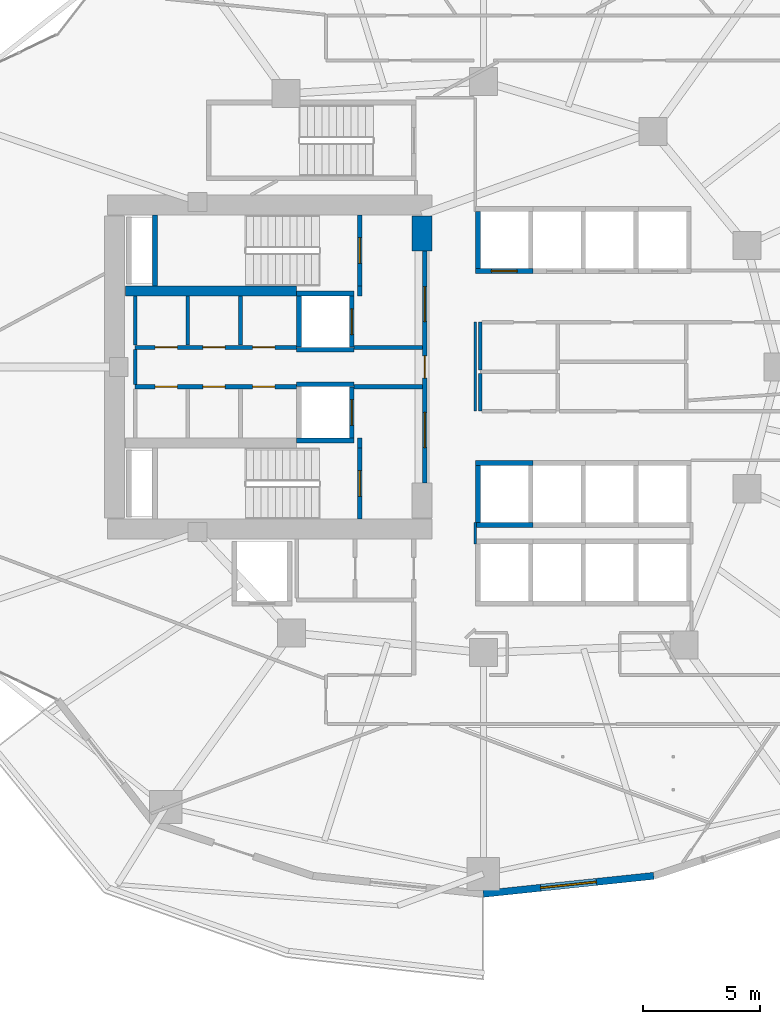
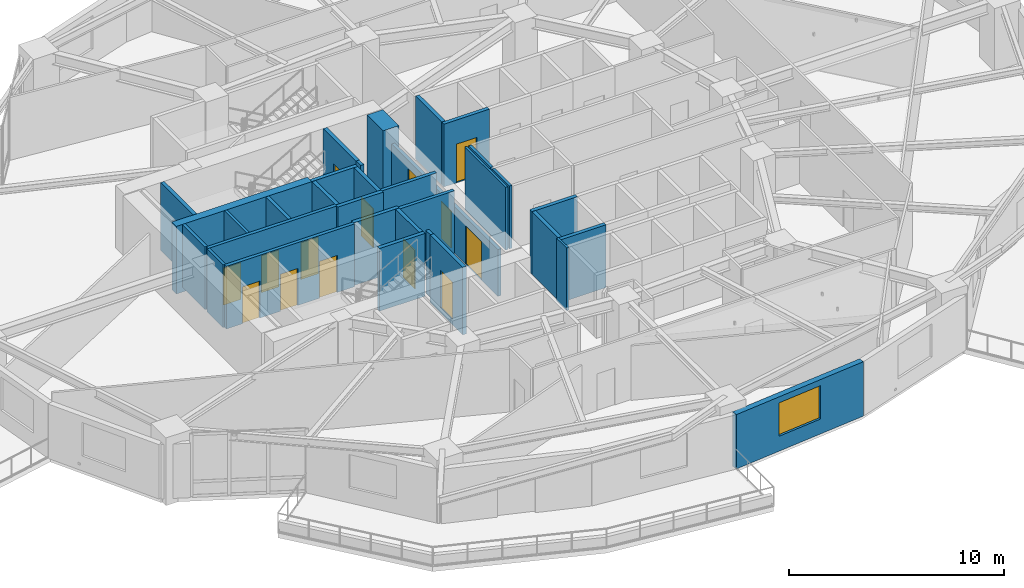
# One storey, part 7 of 19: 33 walls, 14 doors, 1 window, 15 openings.
"""IFC4 building model written with IfcOpenShell, lengths in metres."""

from ifc_helpers import new_model, si_unit, direction, frame, frame_2d, origin, place, context, subcontext, project, spatial, rectangle, extrude, material, layer, layer_set, type_object, element, fill, save


model = new_model("IFC4")

# Units and contexts
model_context = context("Model", 3, precision=1e-05, world=origin(), true_north=direction((0.0, 1.0)))
body_context = subcontext(model_context, "Body", "Model", "MODEL_VIEW")
ifc_project = project(units=[si_unit("LENGTHUNIT", "METRE"), si_unit("AREAUNIT", "SQUARE_METRE"), si_unit("VOLUMEUNIT", "CUBIC_METRE"), si_unit("PLANEANGLEUNIT", "RADIAN"), si_unit("MASSUNIT", "GRAM", prefix="KILO")], contexts=[model_context])

# Site, building, storey
site_placement = place(None, origin())
site = spatial("IfcSite", under=ifc_project, at=site_placement, CompositionType="ELEMENT")
building_placement = place(site_placement, origin())
building = spatial("IfcBuilding", under=site, at=building_placement, Name="Kolvaren Gate Tower and Convention Centre", CompositionType="ELEMENT")
storey_placement = place(building_placement, frame((0.0, 0.0, 38.050048828125)))
storey = spatial("IfcBuildingStorey", under=building, at=storey_placement, Name="L08", CompositionType="ELEMENT", Elevation=38.050048828125)

# Walls
ifc_material_1 = material(Name="Autoclaved Aerated Masonry Blockwork Class 4 (4.0 MPa)", Category="masonry")
ifc_layer_1 = layer(ifc_material_1, 0.179931640625)
ifc_layer_set_1 = layer_set([ifc_layer_1], Name="Autoclaved Aerated Masonry Blockwork Class 4 (4.0 MPa)")
wall_type_1 = type_object("IfcWallType", Name="ARCH-WL-COMP-180", PredefinedType="SOLIDWALL", material=ifc_layer_set_1)
for number, where, z_axis, x_axis, name in (
    (1, (24.85009765625, 23.5400390625, 0.0), (0.0, 0.0, 1.0), (0.0, 1.0, 0.0), "Interior Partition WL-L08-INT-001"),
    (2, (24.85009765625, 30.0400390625, 0.0), (0.0, 0.0, 1.0), (0.0, 1.0, 0.0), "Interior Partition WL-L08-INT-002"),
):
    element("IfcWall", number, at=place(storey_placement, frame(where, z_axis=z_axis, x_axis=x_axis)), inside=storey, type_object=wall_type_1, Name=name, PredefinedType="SOLIDWALL", context=body_context, shape_type="SweptSolid", body=[
        extrude(rectangle(XDim=0.419921875, YDim=0.179931640625, at=frame_2d((0.2099609375, 0.0))), origin(), (0.0, 0.0, 1.0), 3.570068359375),
    ])

# Wall, openings, doors
wall_1_placement = place(storey_placement, frame((27.6201171875, 22.050048828125, 0.0), z_axis=(0.0, 0.0, 1.0), x_axis=(0.0, 1.0, 0.0)))
wall_1 = element("IfcWall", 3, at=wall_1_placement, inside=storey, type_object=wall_type_1, Name="Interior Partition WL-L08-INT-003", PredefinedType="SOLIDWALL", context=body_context, shape_type="SweptSolid", body=[
    extrude(rectangle(XDim=9.89990234375, YDim=0.179931640625, at=frame_2d((4.949951171875, 0.0))), origin(), (0.0, 0.0, 1.0), 2.661865234375),
])
opening_1_placement = place(wall_1_placement, frame((4.47509765625, 0.0, 0.0)))
opening_1 = element("IfcOpeningElement", 4, at=opening_1_placement, cuts=wall_1, Name="Opening DR-01", PredefinedType="OPENING", context=body_context, shape_type="SweptSolid", body=[
    extrude(rectangle(XDim=0.949951171875, YDim=2.10009765625, at=frame_2d((0.47509765625, 1.050048828125))), frame((0.0, 0.099853515625, 0.0), z_axis=(0.0, -1.0, 0.0), x_axis=(1.0, 0.0, 0.0)), (0.0, 0.0, 1.0), 0.199951171875),
])
opening_2_placement = place(wall_1_placement, frame((6.889892578125, 0.0, 0.0)))
opening_2 = element("IfcOpeningElement", 5, at=opening_2_placement, cuts=wall_1, Name="Opening DL-01", PredefinedType="OPENING", context=body_context, shape_type="SweptSolid", body=[
    extrude(rectangle(XDim=1.5, YDim=2.199951171875, at=frame_2d((0.75, 1.10009765625))), frame((0.0, 0.099853515625, 0.0), z_axis=(0.0, -1.0, 0.0), x_axis=(1.0, 0.0, 0.0)), (0.0, 0.0, 1.0), 0.199951171875),
])
opening_3_placement = place(wall_1_placement, frame((1.510009765625, 0.0, 0.0)))
opening_3 = element("IfcOpeningElement", 6, at=opening_3_placement, cuts=wall_1, Name="Opening DL-01", PredefinedType="OPENING", context=body_context, shape_type="SweptSolid", body=[
    extrude(rectangle(XDim=1.5, YDim=2.199951171875, at=frame_2d((0.75, 1.10009765625))), frame((0.0, 0.099853515625, 0.0), z_axis=(0.0, -1.0, 0.0), x_axis=(1.0, 0.0, 0.0)), (0.0, 0.0, 1.0), 0.199951171875),
])
ifc_material_2 = material(Name="Painted Architectural Steelwork ASTM A500 Grade C 345 MPa", Category="steel")
door_type_1 = type_object("IfcDoorType", Name="ARCH-DR-LOBBY-1500", OperationType="DOUBLE_DOOR_SINGLE_SWING", PredefinedType="DOOR", material=ifc_material_2)
door_1_placement = place(opening_2_placement, origin())
door_1 = element("IfcDoor", 7, at=door_1_placement, inside=storey, type_object=door_type_1, Name="North Firefighting Stair and Lift Lobby Door", OperationType="DOUBLE_DOOR_SINGLE_SWING", OverallHeight=2.199951171875, OverallWidth=1.5, PredefinedType="DOOR", context=body_context, shape_type="SweptSolid", body=[
    extrude(rectangle(XDim=1.5, YDim=2.199951171875, at=frame_2d((0.75, 1.10009765625))), frame((0.0, 0.02490234375, 0.0), z_axis=(0.0, -1.0, 0.0), x_axis=(1.0, 0.0, 0.0)), (0.0, 0.0, 1.0), 0.050048828125),
])
fill(opening_2, door_1)
door_2_placement = place(opening_3_placement, origin())
door_2 = element("IfcDoor", 8, at=door_2_placement, inside=storey, type_object=door_type_1, Name="South Firefighting Stair and Lift Lobby Door", OperationType="DOUBLE_DOOR_SINGLE_SWING", OverallHeight=2.199951171875, OverallWidth=1.5, PredefinedType="DOOR", context=body_context, shape_type="SweptSolid", body=[
    extrude(rectangle(XDim=1.5, YDim=2.199951171875, at=frame_2d((0.75, 1.10009765625))), frame((0.0, 0.02490234375, 0.0), z_axis=(0.0, -1.0, 0.0), x_axis=(1.0, 0.0, 0.0)), (0.0, 0.0, 1.0), 0.050048828125),
])
fill(opening_3, door_2)
door_type_2 = type_object("IfcDoorType", Name="ARCH-DR-RISER-950", OperationType="SINGLE_SWING_RIGHT", PredefinedType="DOOR", material=ifc_material_2)
door_3_placement = place(opening_1_placement, origin())
door_3 = element("IfcDoor", 9, at=door_3_placement, inside=storey, type_object=door_type_2, Name="Central MEP Service Corridor Door", OperationType="SINGLE_SWING_RIGHT", OverallHeight=2.10009765625, OverallWidth=0.949951171875, PredefinedType="DOOR", context=body_context, shape_type="SweptSolid", body=[
    extrude(rectangle(XDim=0.949951171875, YDim=2.10009765625, at=frame_2d((0.47509765625, 1.050048828125))), frame((0.0, 0.02490234375, 0.0), z_axis=(0.0, -1.0, 0.0), x_axis=(1.0, 0.0, 0.0)), (0.0, 0.0, 1.0), 0.050048828125),
])
fill(opening_1, door_3)

wall_2_placement = place(storey_placement, frame((15.25, 27.840087890625, 0.0), z_axis=(0.0, 0.0, 1.0), x_axis=(1.0, 0.0, 0.0)))
wall_2 = element("IfcWall", 10, at=wall_2_placement, inside=storey, type_object=wall_type_1, Name="Interior Partition WL-L08-INT-004", PredefinedType="SOLIDWALL", context=body_context, shape_type="SweptSolid", body=[
    extrude(rectangle(XDim=6.89990234375, YDim=0.179931640625, at=frame_2d((3.449951171875, 0.0))), origin(), (0.0, 0.0, 1.0), 3.570068359375),
])
opening_4_placement = place(wall_2_placement, frame((5.02001953125, 0.0, 0.0)))
opening_4 = element("IfcOpeningElement", 11, at=opening_4_placement, cuts=wall_2, Name="Opening DR-01", PredefinedType="OPENING", context=body_context, shape_type="SweptSolid", body=[
    extrude(rectangle(XDim=0.949951171875, YDim=2.10009765625, at=frame_2d((0.47509765625, 1.050048828125))), frame((0.0, 0.099853515625, 0.0), z_axis=(0.0, -1.0, 0.0), x_axis=(1.0, 0.0, 0.0)), (0.0, 0.0, 1.0), 0.199951171875),
])
opening_5_placement = place(wall_2_placement, frame((0.85498046875, 0.0, 0.0)))
opening_5 = element("IfcOpeningElement", 12, at=opening_5_placement, cuts=wall_2, Name="Opening DR-01", PredefinedType="OPENING", context=body_context, shape_type="SweptSolid", body=[
    extrude(rectangle(XDim=0.949951171875, YDim=2.10009765625, at=frame_2d((0.47509765625, 1.050048828125))), frame((0.0, 0.099853515625, 0.0), z_axis=(0.0, -1.0, 0.0), x_axis=(1.0, 0.0, 0.0)), (0.0, 0.0, 1.0), 0.199951171875),
])
opening_6_placement = place(wall_2_placement, frame((2.89990234375, 0.0, 0.0)))
opening_6 = element("IfcOpeningElement", 13, at=opening_6_placement, cuts=wall_2, Name="Opening DR-01", PredefinedType="OPENING", context=body_context, shape_type="SweptSolid", body=[
    extrude(rectangle(XDim=0.949951171875, YDim=2.10009765625, at=frame_2d((0.47509765625, 1.050048828125))), frame((0.0, 0.099853515625, 0.0), z_axis=(0.0, -1.0, 0.0), x_axis=(1.0, 0.0, 0.0)), (0.0, 0.0, 1.0), 0.199951171875),
])
door_4_placement = place(opening_4_placement, origin())
door_4 = element("IfcDoor", 14, at=door_4_placement, inside=storey, type_object=door_type_2, Name="Electrical Switchgear Closet Door", OperationType="SINGLE_SWING_LEFT", OverallHeight=2.10009765625, OverallWidth=0.949951171875, PredefinedType="DOOR", context=body_context, shape_type="SweptSolid", body=[
    extrude(rectangle(XDim=0.949951171875, YDim=2.10009765625, at=frame_2d((0.47509765625, 1.050048828125))), frame((0.0, 0.02490234375, 0.0), z_axis=(0.0, -1.0, 0.0), x_axis=(1.0, 0.0, 0.0)), (0.0, 0.0, 1.0), 0.050048828125),
])
fill(opening_4, door_4)
door_5_placement = place(opening_5_placement, origin())
door_5 = element("IfcDoor", 15, at=door_5_placement, inside=storey, type_object=door_type_2, Name="Staff Accessible WC Door", OperationType="SINGLE_SWING_LEFT", OverallHeight=2.10009765625, OverallWidth=0.949951171875, PredefinedType="DOOR", context=body_context, shape_type="SweptSolid", body=[
    extrude(rectangle(XDim=0.949951171875, YDim=2.10009765625, at=frame_2d((0.47509765625, 1.050048828125))), frame((0.0, 0.02490234375, 0.0), z_axis=(0.0, -1.0, 0.0), x_axis=(1.0, 0.0, 0.0)), (0.0, 0.0, 1.0), 0.050048828125),
])
fill(opening_5, door_5)
door_6_placement = place(opening_6_placement, origin())
door_6 = element("IfcDoor", 16, at=door_6_placement, inside=storey, type_object=door_type_2, Name="Housekeeping Sink Closet Door", OperationType="SINGLE_SWING_RIGHT", OverallHeight=2.10009765625, OverallWidth=0.949951171875, PredefinedType="DOOR", context=body_context, shape_type="SweptSolid", body=[
    extrude(rectangle(XDim=0.949951171875, YDim=2.10009765625, at=frame_2d((0.47509765625, 1.050048828125))), frame((0.0, 0.02490234375, 0.0), z_axis=(0.0, -1.0, 0.0), x_axis=(1.0, 0.0, 0.0)), (0.0, 0.0, 1.0), 0.050048828125),
])
fill(opening_6, door_6)

# Wall
wall_3_placement = place(storey_placement, frame((24.60009765625, 27.840087890625, 0.0), z_axis=(0.0, 0.0, 1.0), x_axis=(1.0, 0.0, 0.0)))
element("IfcWall", 17, at=wall_3_placement, inside=storey, type_object=wall_type_1, Name="Interior Partition WL-L08-INT-004 (2)", PredefinedType="SOLIDWALL", context=body_context, shape_type="SweptSolid", body=[
    extrude(rectangle(XDim=2.927978515625, YDim=0.179931640625, at=frame_2d((1.4638671875, 0.0))), origin(), (0.0, 0.0, 1.0), 3.570068359375),
])

# Wall, openings, doors
wall_4_placement = place(storey_placement, frame((15.25, 26.159912109375, 0.0), z_axis=(0.0, 0.0, 1.0), x_axis=(1.0, 0.0, 0.0)))
wall_4 = element("IfcWall", 18, at=wall_4_placement, inside=storey, type_object=wall_type_1, Name="Interior Partition WL-L08-INT-005", PredefinedType="SOLIDWALL", context=body_context, shape_type="SweptSolid", body=[
    extrude(rectangle(XDim=6.89990234375, YDim=0.179931640625, at=frame_2d((3.449951171875, 0.0))), origin(), (0.0, 0.0, 1.0), 3.570068359375),
])
opening_7_placement = place(wall_4_placement, frame((5.02001953125, 0.0, 0.0)))
opening_7 = element("IfcOpeningElement", 19, at=opening_7_placement, cuts=wall_4, Name="Opening DR-01", PredefinedType="OPENING", context=body_context, shape_type="SweptSolid", body=[
    extrude(rectangle(XDim=0.949951171875, YDim=2.10009765625, at=frame_2d((0.47509765625, 1.050048828125))), frame((0.0, 0.099853515625, 0.0), z_axis=(0.0, -1.0, 0.0), x_axis=(1.0, 0.0, 0.0)), (0.0, 0.0, 1.0), 0.199951171875),
])
opening_8_placement = place(wall_4_placement, frame((0.85498046875, 0.0, 0.0)))
opening_8 = element("IfcOpeningElement", 20, at=opening_8_placement, cuts=wall_4, Name="Opening DR-01", PredefinedType="OPENING", context=body_context, shape_type="SweptSolid", body=[
    extrude(rectangle(XDim=0.949951171875, YDim=2.10009765625, at=frame_2d((0.47509765625, 1.050048828125))), frame((0.0, 0.099853515625, 0.0), z_axis=(0.0, -1.0, 0.0), x_axis=(1.0, 0.0, 0.0)), (0.0, 0.0, 1.0), 0.199951171875),
])
opening_9_placement = place(wall_4_placement, frame((2.89990234375, 0.0, 0.0)))
opening_9 = element("IfcOpeningElement", 21, at=opening_9_placement, cuts=wall_4, Name="Opening DR-01", PredefinedType="OPENING", context=body_context, shape_type="SweptSolid", body=[
    extrude(rectangle(XDim=0.949951171875, YDim=2.10009765625, at=frame_2d((0.47509765625, 1.050048828125))), frame((0.0, 0.099853515625, 0.0), z_axis=(0.0, -1.0, 0.0), x_axis=(1.0, 0.0, 0.0)), (0.0, 0.0, 1.0), 0.199951171875),
])
door_7_placement = place(opening_7_placement, origin())
door_7 = element("IfcDoor", 22, at=door_7_placement, inside=storey, type_object=door_type_2, Name="Domestic Water Meter Closet Door", OperationType="SINGLE_SWING_RIGHT", OverallHeight=2.10009765625, OverallWidth=0.949951171875, PredefinedType="DOOR", context=body_context, shape_type="SweptSolid", body=[
    extrude(rectangle(XDim=0.949951171875, YDim=2.10009765625, at=frame_2d((0.47509765625, 1.050048828125))), frame((0.0, 0.02490234375, 0.0), z_axis=(0.0, -1.0, 0.0), x_axis=(1.0, 0.0, 0.0)), (0.0, 0.0, 1.0), 0.050048828125),
])
fill(opening_7, door_7)
door_8_placement = place(opening_8_placement, origin())
door_8 = element("IfcDoor", 23, at=door_8_placement, inside=storey, type_object=door_type_2, Name="Beverage Service Pantry Door", OperationType="SINGLE_SWING_LEFT", OverallHeight=2.10009765625, OverallWidth=0.949951171875, PredefinedType="DOOR", context=body_context, shape_type="SweptSolid", body=[
    extrude(rectangle(XDim=0.949951171875, YDim=2.10009765625, at=frame_2d((0.47509765625, 1.050048828125))), frame((0.0, 0.02490234375, 0.0), z_axis=(0.0, -1.0, 0.0), x_axis=(1.0, 0.0, 0.0)), (0.0, 0.0, 1.0), 0.050048828125),
])
fill(opening_8, door_8)
door_9_placement = place(opening_9_placement, origin())
door_9 = element("IfcDoor", 24, at=door_9_placement, inside=storey, type_object=door_type_2, Name="Archive Supply Closet Door", OperationType="SINGLE_SWING_RIGHT", OverallHeight=2.10009765625, OverallWidth=0.949951171875, PredefinedType="DOOR", context=body_context, shape_type="SweptSolid", body=[
    extrude(rectangle(XDim=0.949951171875, YDim=2.10009765625, at=frame_2d((0.47509765625, 1.050048828125))), frame((0.0, 0.02490234375, 0.0), z_axis=(0.0, -1.0, 0.0), x_axis=(1.0, 0.0, 0.0)), (0.0, 0.0, 1.0), 0.050048828125),
])
fill(opening_9, door_9)

# Walls
wall_5_placement = place(storey_placement, frame((24.60009765625, 26.159912109375, 0.0), z_axis=(0.0, 0.0, 1.0), x_axis=(1.0, 0.0, 0.0)))
element("IfcWall", 25, at=wall_5_placement, inside=storey, type_object=wall_type_1, Name="Interior Partition WL-L08-INT-005 (2)", PredefinedType="SOLIDWALL", context=body_context, shape_type="SweptSolid", body=[
    extrude(rectangle(XDim=2.927978515625, YDim=0.179931640625, at=frame_2d((1.4638671875, 0.0))), origin(), (0.0, 0.0, 1.0), 3.570068359375),
])
wall_6_placement = place(storey_placement, frame((19.75, 27.931884765625, 0.0), z_axis=(0.0, 0.0, 1.0), x_axis=(0.0, 1.0, 0.0)))
element("IfcWall", 26, at=wall_6_placement, inside=storey, type_object=wall_type_1, Name="Interior Partition WL-L08-INT-008", PredefinedType="SOLIDWALL", context=body_context, shape_type="SweptSolid", body=[
    extrude(rectangle(XDim=2.106201171875, YDim=0.179931640625, at=frame_2d((1.05322265625, 0.0))), origin(), (0.0, 0.0, 1.0), 3.570068359375),
])
ifc_material_3 = material(Name="Fire-Rated Acoustic Gypsum Stud Partition", Category="gypsum")
ifc_layer_2 = layer(ifc_material_3, 0.1201171875)
ifc_layer_set_2 = layer_set([ifc_layer_2], Name="Fire-Rated Acoustic Gypsum Stud Partition")
wall_type_2 = type_object("IfcWallType", Name="ARCH-WL-PART-120", PredefinedType="PARTITIONING", material=ifc_layer_set_2)
wall_7_placement = place(storey_placement, frame((29.780029296875, 19.43994140625, 0.0), z_axis=(0.0, 0.0, 1.0), x_axis=(0.0, 1.0, 0.0)))
element("IfcWall", 27, at=wall_7_placement, inside=storey, type_object=wall_type_2, Name="Interior Partition WL-L08-INT-022", PredefinedType="PARTITIONING", context=body_context, shape_type="SweptSolid", body=[
    extrude(rectangle(XDim=0.920166015625, YDim=0.1201171875, at=frame_2d((0.4599609375, 0.0))), origin(), (0.0, 0.0, 1.0), 3.570068359375),
])
wall_8_placement = place(storey_placement, frame((29.780029296875, 25.1201171875, 0.0), z_axis=(0.0, 0.0, 1.0), x_axis=(0.0, 1.0, 0.0)))
element("IfcWall", 28, at=wall_8_placement, inside=storey, type_object=wall_type_2, Name="Interior Partition WL-L08-INT-023", PredefinedType="PARTITIONING", context=body_context, shape_type="SweptSolid", body=[
    extrude(rectangle(XDim=3.7998046875, YDim=0.1201171875, at=frame_2d((1.89990234375, 0.0))), origin(), (0.0, 0.0, 1.0), 3.570068359375),
])
ifc_layer_3 = layer(ifc_material_1, 0.199951171875)
ifc_layer_set_3 = layer_set([ifc_layer_3], Name="Autoclaved Aerated Masonry Blockwork Class 4 (4.0 MPa)")
wall_type_3 = type_object("IfcWallType", Name="ARCH-WL-SHAFT-200", PredefinedType="SOLIDWALL", material=ifc_layer_set_3)
for number, where, z_axis, x_axis, name in (
    (29, (22.14990234375, 30.139892578125, 0.0), (0.0, 0.0, 1.0), (1.0, 0.0, 0.0), "Elevator FF-01 L08 Fire Shaft Wall N"),
    (30, (22.14990234375, 27.739990234375, 0.0), (0.0, 0.0, 1.0), (1.0, 0.0, 0.0), "Elevator FF-01 L08 Fire Shaft Wall S"),
):
    element("IfcWall", number, at=place(storey_placement, frame(where, z_axis=z_axis, x_axis=x_axis)), inside=storey, type_object=wall_type_3, Name=name, PredefinedType="SOLIDWALL", context=body_context, shape_type="SweptSolid", body=[
        extrude(rectangle(XDim=2.4501953125, YDim=0.199951171875, at=frame_2d((1.22509765625, 0.0))), origin(), (0.0, 0.0, 1.0), 3.570068359375),
    ])
wall_9_placement = place(storey_placement, frame((22.25, 27.85009765625, 0.0), z_axis=(0.0, 0.0, 1.0), x_axis=(0.0, 1.0, 0.0)))
element("IfcWall", 31, at=wall_9_placement, inside=storey, type_object=wall_type_3, Name="Elevator FF-01 L08 Fire Shaft Wall W", PredefinedType="SOLIDWALL", context=body_context, shape_type="SweptSolid", body=[
    extrude(rectangle(XDim=2.179931640625, YDim=0.199951171875, at=frame_2d((1.08984375, 0.0))), origin(), (0.0, 0.0, 1.0), 3.570068359375),
])

# Wall, opening, door
wall_10_placement = place(storey_placement, frame((24.5, 27.85009765625, 0.0), z_axis=(0.0, 0.0, 1.0), x_axis=(0.0, 1.0, 0.0)))
wall_10 = element("IfcWall", 32, at=wall_10_placement, inside=storey, type_object=wall_type_3, Name="Elevator FF-01 L08 Fire Shaft Wall E", PredefinedType="SOLIDWALL", context=body_context, shape_type="SweptSolid", body=[
    extrude(rectangle(XDim=2.179931640625, YDim=0.199951171875, at=frame_2d((1.08984375, 0.0))), origin(), (0.0, 0.0, 1.0), 3.570068359375),
])
opening_10_placement = place(wall_10_placement, frame((0.5400390625, 0.0, 0.0)))
opening_10 = element("IfcOpeningElement", 33, at=opening_10_placement, cuts=wall_10, Name="Opening LD", PredefinedType="OPENING", context=body_context, shape_type="SweptSolid", body=[
    extrude(rectangle(XDim=1.10009765625, YDim=2.199951171875, at=frame_2d((0.550048828125, 1.10009765625))), frame((0.0, 0.10986328125, 0.0), z_axis=(0.0, -1.0, 0.0), x_axis=(1.0, 0.0, 0.0)), (0.0, 0.0, 1.0), 0.219970703125),
])
ifc_material_4 = material(Name="Brushed Stainless Steel Grade 316L", Category="steel")
door_type_3 = type_object("IfcDoorType", Name="ARCH-DR-LIFT-1100", OperationType="SLIDING_TO_LEFT", PredefinedType="DOOR", material=ifc_material_4)
door_10_placement = place(opening_10_placement, origin())
door_10 = element("IfcDoor", 34, at=door_10_placement, inside=storey, type_object=door_type_3, Name="Elevator FF-01 L08 Sliding Landing Door", OperationType="SLIDING_TO_LEFT", OverallHeight=2.199951171875, OverallWidth=1.10009765625, PredefinedType="DOOR", context=body_context, shape_type="SweptSolid", body=[
    extrude(rectangle(XDim=1.10009765625, YDim=2.199951171875, at=frame_2d((0.550048828125, 1.10009765625))), frame((0.0, 0.02490234375, 0.0), z_axis=(0.0, -1.0, 0.0), x_axis=(1.0, 0.0, 0.0)), (0.0, 0.0, 1.0), 0.050048828125),
])
fill(opening_10, door_10)

# Walls
for number, where, z_axis, x_axis, name in (
    (35, (22.14990234375, 26.260009765625, 0.0), (0.0, 0.0, 1.0), (1.0, 0.0, 0.0), "Elevator FF-02 L08 Fire Shaft Wall N"),
    (36, (22.14990234375, 23.860107421875, 0.0), (0.0, 0.0, 1.0), (1.0, 0.0, 0.0), "Elevator FF-02 L08 Fire Shaft Wall S"),
):
    element("IfcWall", number, at=place(storey_placement, frame(where, z_axis=z_axis, x_axis=x_axis)), inside=storey, type_object=wall_type_3, Name=name, PredefinedType="SOLIDWALL", context=body_context, shape_type="SweptSolid", body=[
        extrude(rectangle(XDim=2.4501953125, YDim=0.199951171875, at=frame_2d((1.22509765625, 0.0))), origin(), (0.0, 0.0, 1.0), 3.570068359375),
    ])

# Wall, opening, door
wall_11_placement = place(storey_placement, frame((24.5, 23.969970703125, 0.0), z_axis=(0.0, 0.0, 1.0), x_axis=(0.0, 1.0, 0.0)))
wall_11 = element("IfcWall", 37, at=wall_11_placement, inside=storey, type_object=wall_type_3, Name="Elevator FF-02 L08 Fire Shaft Wall E", PredefinedType="SOLIDWALL", context=body_context, shape_type="SweptSolid", body=[
    extrude(rectangle(XDim=2.179931640625, YDim=0.199951171875, at=frame_2d((1.08984375, 0.0))), origin(), (0.0, 0.0, 1.0), 3.570068359375),
])
opening_11_placement = place(wall_11_placement, frame((0.5400390625, 0.0, 0.0)))
opening_11 = element("IfcOpeningElement", 38, at=opening_11_placement, cuts=wall_11, Name="Opening LD", PredefinedType="OPENING", context=body_context, shape_type="SweptSolid", body=[
    extrude(rectangle(XDim=1.10009765625, YDim=2.199951171875, at=frame_2d((0.550048828125, 1.10009765625))), frame((0.0, 0.10986328125, 0.0), z_axis=(0.0, -1.0, 0.0), x_axis=(1.0, 0.0, 0.0)), (0.0, 0.0, 1.0), 0.219970703125),
])
door_11_placement = place(opening_11_placement, origin())
door_11 = element("IfcDoor", 39, at=door_11_placement, inside=storey, type_object=door_type_3, Name="Elevator FF-02 L08 Sliding Landing Door", OperationType="SLIDING_TO_LEFT", OverallHeight=2.199951171875, OverallWidth=1.10009765625, PredefinedType="DOOR", context=body_context, shape_type="SweptSolid", body=[
    extrude(rectangle(XDim=1.10009765625, YDim=2.199951171875, at=frame_2d((0.550048828125, 1.10009765625))), frame((0.0, 0.02490234375, 0.0), z_axis=(0.0, -1.0, 0.0), x_axis=(1.0, 0.0, 0.0)), (0.0, 0.0, 1.0), 0.050048828125),
])
fill(opening_11, door_11)

wall_12_placement = place(storey_placement, frame((29.800048828125, 31.10009765625, 0.0), z_axis=(0.0, 0.0, 1.0), x_axis=(1.0, 0.0, 0.0)))
wall_12 = element("IfcWall", 40, at=wall_12_placement, inside=storey, type_object=wall_type_3, Name="Elevator PL-01 L08 Fire Shaft Wall S", PredefinedType="SOLIDWALL", context=body_context, shape_type="SweptSolid", body=[
    extrude(rectangle(XDim=2.449951171875, YDim=0.199951171875, at=frame_2d((1.22509765625, 0.0))), origin(), (0.0, 0.0, 1.0), 3.570068359375),
])
opening_12_placement = place(wall_12_placement, frame((0.675048828125, 0.0, 0.0)))
opening_12 = element("IfcOpeningElement", 41, at=opening_12_placement, cuts=wall_12, Name="Opening LD", PredefinedType="OPENING", context=body_context, shape_type="SweptSolid", body=[
    extrude(rectangle(XDim=1.10009765625, YDim=2.199951171875, at=frame_2d((0.550048828125, 1.10009765625))), frame((0.0, 0.10986328125, 0.0), z_axis=(0.0, -1.0, 0.0), x_axis=(1.0, 0.0, 0.0)), (0.0, 0.0, 1.0), 0.219970703125),
])
door_12_placement = place(opening_12_placement, origin())
door_12 = element("IfcDoor", 42, at=door_12_placement, inside=storey, type_object=door_type_3, Name="Elevator PL-01 L08 Sliding Landing Door", OperationType="SLIDING_TO_LEFT", OverallHeight=2.199951171875, OverallWidth=1.10009765625, PredefinedType="DOOR", context=body_context, shape_type="SweptSolid", body=[
    extrude(rectangle(XDim=1.10009765625, YDim=2.199951171875, at=frame_2d((0.550048828125, 1.10009765625))), frame((0.0, 0.02490234375, 0.0), z_axis=(0.0, -1.0, 0.0), x_axis=(1.0, 0.0, 0.0)), (0.0, 0.0, 1.0), 0.050048828125),
])
fill(opening_12, door_12)

# Walls
wall_13_placement = place(storey_placement, frame((29.89990234375, 31.2099609375, 0.0), z_axis=(0.0, 0.0, 1.0), x_axis=(0.0, 1.0, 0.0)))
element("IfcWall", 43, at=wall_13_placement, inside=storey, type_object=wall_type_3, Name="Elevator PL-01 L08 Fire Shaft Wall W", PredefinedType="SOLIDWALL", context=body_context, shape_type="SweptSolid", body=[
    extrude(rectangle(XDim=2.429931640625, YDim=0.199951171875, at=frame_2d((1.21484375, 0.0))), origin(), (0.0, 0.0, 1.0), 3.570068359375),
])
for number, where, z_axis, x_axis, name in (
    (44, (29.800048828125, 22.89990234375, 0.0), (0.0, 0.0, 1.0), (1.0, 0.0, 0.0), "Elevator PL-09 L08 Fire Shaft Wall N"),
    (45, (29.800048828125, 20.25, 0.0), (0.0, 0.0, 1.0), (1.0, 0.0, 0.0), "Elevator PL-09 L08 Fire Shaft Wall S"),
):
    element("IfcWall", number, at=place(storey_placement, frame(where, z_axis=z_axis, x_axis=x_axis)), inside=storey, type_object=wall_type_3, Name=name, PredefinedType="SOLIDWALL", context=body_context, shape_type="SweptSolid", body=[
        extrude(rectangle(XDim=2.449951171875, YDim=0.199951171875, at=frame_2d((1.22509765625, 0.0))), origin(), (0.0, 0.0, 1.0), 3.570068359375),
    ])
wall_14_placement = place(storey_placement, frame((29.89990234375, 20.360107421875, 0.0), z_axis=(0.0, 0.0, 1.0), x_axis=(0.0, 1.0, 0.0)))
element("IfcWall", 46, at=wall_14_placement, inside=storey, type_object=wall_type_3, Name="Elevator PL-09 L08 Fire Shaft Wall W", PredefinedType="SOLIDWALL", context=body_context, shape_type="SweptSolid", body=[
    extrude(rectangle(XDim=2.429931640625, YDim=0.199951171875, at=frame_2d((1.21484375, 0.0))), origin(), (0.0, 0.0, 1.0), 3.570068359375),
])

# Wall, opening, window
ifc_material_5 = material(Name="Piedmont Cream Honed Limestone Cladding", Category="masonry")
ifc_layer_4 = layer(ifc_material_5, 0.300048828125)
ifc_layer_set_4 = layer_set([ifc_layer_4], Name="Piedmont Cream Honed Limestone Cladding")
wall_type_4 = type_object("IfcWallType", Name="ARCH-WL-STONE-300", PredefinedType="SOLIDWALL", material=ifc_layer_set_4)
wall_15_placement = place(storey_placement, frame((30.125, 4.5, 0.0), z_axis=(0.0, 0.0, 1.0), x_axis=(0.994500334317, 0.104733399844, 0.0)))
wall_15 = element("IfcWall", 47, at=wall_15_placement, inside=storey, type_object=wall_type_4, Name="Tower L08 Honed Stone Spandrel Wall EW-18", PredefinedType="SOLIDWALL", context=body_context, shape_type="SweptSolid", body=[
    extrude(rectangle(XDim=7.319580078125, YDim=0.300048828125, at=frame_2d((3.65966796875, 0.0))), origin(), (0.0, 0.0, 1.0), 3.093017578125),
])
opening_13_placement = place(wall_15_placement, frame((2.4599609375, 0.0, 0.85009765625)))
opening_13 = element("IfcOpeningElement", 48, at=opening_13_placement, cuts=wall_15, Name="Opening W-01", PredefinedType="OPENING", context=body_context, shape_type="SweptSolid", body=[
    extrude(rectangle(XDim=2.39990234375, YDim=1.89990234375, at=frame_2d((1.199951171875, 0.949951171875))), frame((0.0, 0.159912109375, 0.0), z_axis=(0.0, -1.0, 0.0), x_axis=(1.0, 0.0, 0.0)), (0.0, 0.0, 1.0), 0.320068359375),
])
ifc_material_6 = material(Name="Low-E Triple Insulated Glazing Unit 44 mm", Category="glass")
window_type = type_object("IfcWindowType", Name="ARCH-WN-OFF-2400", PartitioningType="SINGLE_PANEL", PredefinedType="WINDOW", material=ifc_material_6)
window_placement = place(opening_13_placement, origin())
window = element("IfcWindow", 49, at=window_placement, inside=storey, type_object=window_type, Name="Tower L08 Punched Stone Facade Window W-18", OverallHeight=1.89990234375, OverallWidth=2.39990234375, PartitioningType="SINGLE_PANEL", PredefinedType="WINDOW", context=body_context, shape_type="SweptSolid", body=[
    extrude(rectangle(XDim=2.39990234375, YDim=1.89990234375, at=frame_2d((1.199951171875, 0.949951171875))), frame((0.0, 0.030029296875, 0.0), z_axis=(0.0, -1.0, 0.0), x_axis=(1.0, 0.0, 0.0)), (0.0, 0.0, 1.0), 0.06005859375),
])
fill(opening_13, window)

# Walls
ifc_material_7 = material(Name="Moisture-Resistant Cement-Board Acoustic Partition", Category="gypsum")
ifc_layer_5 = layer(ifc_material_7, 0.14990234375)
ifc_layer_set_5 = layer_set([ifc_layer_5], Name="Moisture-Resistant Cement-Board Acoustic Partition")
wall_type_5 = type_object("IfcWallType", Name="ARCH-WL-WET-150", PredefinedType="PARTITIONING", material=ifc_layer_set_5)
wall_16_placement = place(storey_placement, frame((15.25, 26.251953125, 0.0), z_axis=(0.0, 0.0, 1.0), x_axis=(0.0, 1.0, 0.0)))
element("IfcWall", 50, at=wall_16_placement, inside=storey, type_object=wall_type_5, Name="Interior Partition WL-L08-INT-006 (2)", PredefinedType="PARTITIONING", context=body_context, shape_type="SweptSolid", body=[
    extrude(rectangle(XDim=1.49609375, YDim=0.14990234375, at=frame_2d((0.748046875, 0.0))), origin(), (0.0, 0.0, 1.0), 3.570068359375),
])
for number, where, z_axis, x_axis, name in (
    (51, (15.25, 27.931884765625, 0.0), (0.0, 0.0, 1.0), (0.0, 1.0, 0.0), "Interior Partition WL-L08-INT-006 (3)"),
    (52, (17.5, 27.931884765625, 0.0), (0.0, 0.0, 1.0), (0.0, 1.0, 0.0), "Interior Partition WL-L08-INT-010"),
):
    element("IfcWall", number, at=place(storey_placement, frame(where, z_axis=z_axis, x_axis=x_axis)), inside=storey, type_object=wall_type_5, Name=name, PredefinedType="PARTITIONING", context=body_context, shape_type="SweptSolid", body=[
        extrude(rectangle(XDim=2.106201171875, YDim=0.14990234375, at=frame_2d((1.05322265625, 0.0))), origin(), (0.0, 0.0, 1.0), 3.570068359375),
    ])
wall_17_placement = place(storey_placement, frame((30.0, 25.1201171875, 0.0), z_axis=(0.0, 0.0, 1.0), x_axis=(0.0, 1.0, 0.0)))
element("IfcWall", 53, at=wall_17_placement, inside=storey, type_object=wall_type_5, Name="Interior Partition WL-L08-INT-016", PredefinedType="PARTITIONING", context=body_context, shape_type="SweptSolid", body=[
    extrude(rectangle(XDim=1.602783203125, YDim=0.14990234375, at=frame_2d((0.80126953125, 0.0))), origin(), (0.0, 0.0, 1.0), 3.570068359375),
])
wall_18_placement = place(storey_placement, frame((30.0, 26.876953125, 0.0), z_axis=(0.0, 0.0, 1.0), x_axis=(0.0, 1.0, 0.0)))
element("IfcWall", 54, at=wall_18_placement, inside=storey, type_object=wall_type_5, Name="Interior Partition WL-L08-INT-016 (2)", PredefinedType="PARTITIONING", context=body_context, shape_type="SweptSolid", body=[
    extrude(rectangle(XDim=2.04296875, YDim=0.14990234375, at=frame_2d((1.021484375, 0.0))), origin(), (0.0, 0.0, 1.0), 3.570068359375),
])
ifc_material_8 = material(Name="Concrete C50/60", Category="concrete")
ifc_layer_6 = layer(ifc_material_8, 0.419921875)
ifc_layer_set_6 = layer_set([ifc_layer_6], Name="Concrete C50/60")
wall_type_6 = type_object("IfcWallType", Name="STR-WL-CONV-420", PredefinedType="SHEAR", material=ifc_layer_set_6)
wall_19_placement = place(storey_placement, frame((14.85009765625, 30.25, -0.280029296875), z_axis=(0.0, 0.0, 1.0), x_axis=(1.0, 0.0, 0.0)))
element("IfcWall", 55, at=wall_19_placement, inside=storey, type_object=wall_type_6, Name="Tower L08 Offset Core Shear Wall WN", PredefinedType="SHEAR", context=body_context, shape_type="SweptSolid", body=[
    extrude(rectangle(XDim=7.2998046875, YDim=0.419921875, at=frame_2d((3.64990234375, 0.0))), origin(), (0.0, 0.0, 1.0), 3.85009765625),
])
ifc_material_9 = material(Name="Concrete C70/85", Category="concrete")
ifc_layer_7 = layer(ifc_material_9, 0.85009765625)
ifc_layer_set_7 = layer_set([ifc_layer_7], Name="Concrete C70/85")
wall_type_7 = type_object("IfcWallType", Name="STR-WL-CORE-850", PredefinedType="SHEAR", material=ifc_layer_set_7)
wall_20_placement = place(storey_placement, frame((27.5, 31.949951171875, -0.280029296875), z_axis=(0.0, 0.0, 1.0), x_axis=(0.0, 1.0, 0.0)))
element("IfcWall", 56, at=wall_20_placement, inside=storey, type_object=wall_type_7, Name="Tower L08 Offset Core Shear Wall EN", PredefinedType="SHEAR", context=body_context, shape_type="SweptSolid", body=[
    extrude(rectangle(XDim=1.5, YDim=0.85009765625, at=frame_2d((0.75, 0.0))), origin(), (0.0, 0.0, 1.0), 3.85009765625),
])

# Wall, opening, door
ifc_layer_8 = layer(ifc_material_8, 0.199951171875)
ifc_layer_set_8 = layer_set([ifc_layer_8], Name="Concrete C50/60")
wall_type_8 = type_object("IfcWallType", Name="STR-WL-SHAFT-200", PredefinedType="SHEAR", material=ifc_layer_set_8)
wall_21_placement = place(storey_placement, frame((24.85009765625, 30.4599609375, -0.280029296875), z_axis=(0.0, 0.0, 1.0), x_axis=(0.0, 1.0, 0.0)))
wall_21 = element("IfcWall", 57, at=wall_21_placement, inside=storey, type_object=wall_type_8, Name="Tower North Exit Stair ST-T1 L08 Structural Shear Enclosure Wall NEAR", PredefinedType="SHEAR", context=body_context, shape_type="SweptSolid", body=[
    extrude(rectangle(XDim=3.0380859375, YDim=0.199951171875, at=frame_2d((1.51904296875, 0.0))), origin(), (0.0, 0.0, 1.0), 3.85009765625),
])
opening_14_placement = place(wall_21_placement, frame((0.968994140625, 0.0, 0.280029296875)))
opening_14 = element("IfcOpeningElement", 58, at=opening_14_placement, cuts=wall_21, Name="Opening DS-01", PredefinedType="OPENING", context=body_context, shape_type="SweptSolid", body=[
    extrude(rectangle(XDim=1.10009765625, YDim=2.14990234375, at=frame_2d((0.550048828125, 1.074951171875))), frame((0.0, 0.10986328125, 0.0), z_axis=(0.0, -1.0, 0.0), x_axis=(1.0, 0.0, 0.0)), (0.0, 0.0, 1.0), 0.219970703125),
])
door_type_4 = type_object("IfcDoorType", Name="ARCH-DR-STAIR-1100", OperationType="SINGLE_SWING_LEFT", PredefinedType="DOOR", material=ifc_material_2)
door_13_placement = place(opening_14_placement, origin())
door_13 = element("IfcDoor", 59, at=door_13_placement, inside=storey, type_object=door_type_4, Name="Tower North Exit Stair ST-T1 L08 Fire Exit Stair Door", OperationType="SINGLE_SWING_RIGHT", OverallHeight=2.14990234375, OverallWidth=1.10009765625, PredefinedType="DOOR", context=body_context, shape_type="SweptSolid", body=[
    extrude(rectangle(XDim=1.10009765625, YDim=2.14990234375, at=frame_2d((0.550048828125, 1.074951171875))), frame((0.0, 0.02490234375, 0.0), z_axis=(0.0, -1.0, 0.0), x_axis=(1.0, 0.0, 0.0)), (0.0, 0.0, 1.0), 0.050048828125),
])
fill(opening_14, door_13)

# Wall
wall_22_placement = place(storey_placement, frame((16.10009765625, 30.4619140625, -0.280029296875), z_axis=(0.0, 0.0, 1.0), x_axis=(0.0, 1.0, 0.0)))
element("IfcWall", 60, at=wall_22_placement, inside=storey, type_object=wall_type_8, Name="Tower North Exit Stair ST-T1 L08 Structural Shear Enclosure Wall FAR", PredefinedType="SHEAR", context=body_context, shape_type="SweptSolid", body=[
    extrude(rectangle(XDim=3.0361328125, YDim=0.199951171875, at=frame_2d((1.51806640625, 0.0))), origin(), (0.0, 0.0, 1.0), 3.85009765625),
])

# Wall, opening, door
wall_23_placement = place(storey_placement, frame((24.85009765625, 20.501953125, -0.280029296875), z_axis=(0.0, 0.0, 1.0), x_axis=(0.0, 1.0, 0.0)))
wall_23 = element("IfcWall", 61, at=wall_23_placement, inside=storey, type_object=wall_type_8, Name="Tower South Exit Stair ST-T2 L08 Structural Shear Enclosure Wall NEAR", PredefinedType="SHEAR", context=body_context, shape_type="SweptSolid", body=[
    extrude(rectangle(XDim=3.0380859375, YDim=0.199951171875, at=frame_2d((1.51904296875, 0.0))), origin(), (0.0, 0.0, 1.0), 3.85009765625),
])
opening_15_placement = place(wall_23_placement, frame((0.968994140625, 0.0, 0.280029296875)))
opening_15 = element("IfcOpeningElement", 62, at=opening_15_placement, cuts=wall_23, Name="Opening DS-01", PredefinedType="OPENING", context=body_context, shape_type="SweptSolid", body=[
    extrude(rectangle(XDim=1.10009765625, YDim=2.14990234375, at=frame_2d((0.550048828125, 1.074951171875))), frame((0.0, 0.10986328125, 0.0), z_axis=(0.0, -1.0, 0.0), x_axis=(1.0, 0.0, 0.0)), (0.0, 0.0, 1.0), 0.219970703125),
])
door_14_placement = place(opening_15_placement, origin())
door_14 = element("IfcDoor", 63, at=door_14_placement, inside=storey, type_object=door_type_4, Name="Tower South Exit Stair ST-T2 L08 Fire Exit Stair Door", OperationType="SINGLE_SWING_RIGHT", OverallHeight=2.14990234375, OverallWidth=1.10009765625, PredefinedType="DOOR", context=body_context, shape_type="SweptSolid", body=[
    extrude(rectangle(XDim=1.10009765625, YDim=2.14990234375, at=frame_2d((0.550048828125, 1.074951171875))), frame((0.0, 0.02490234375, 0.0), z_axis=(0.0, -1.0, 0.0), x_axis=(1.0, 0.0, 0.0)), (0.0, 0.0, 1.0), 0.050048828125),
])
fill(opening_15, door_14)

save(model, "model.ifc")
